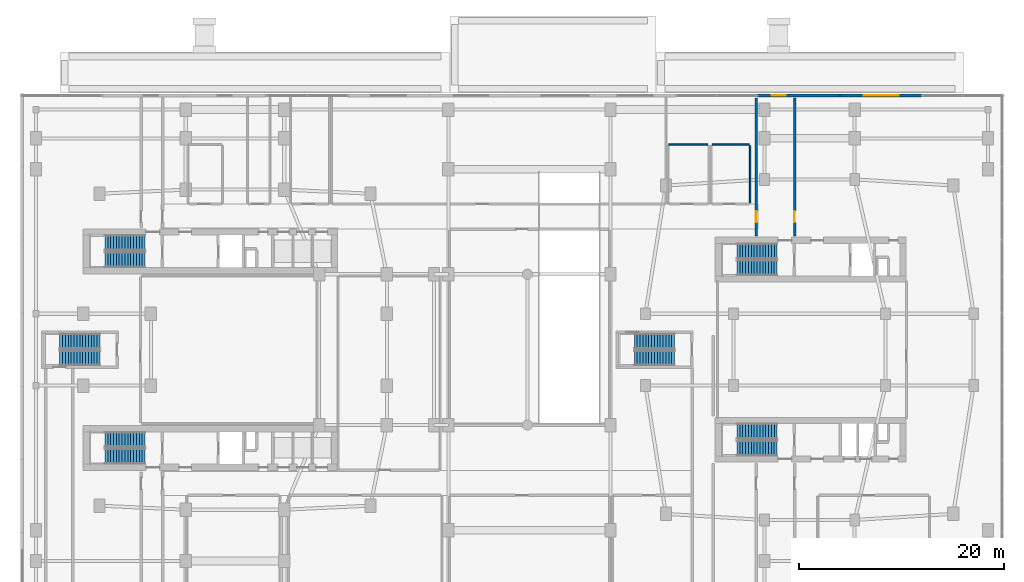
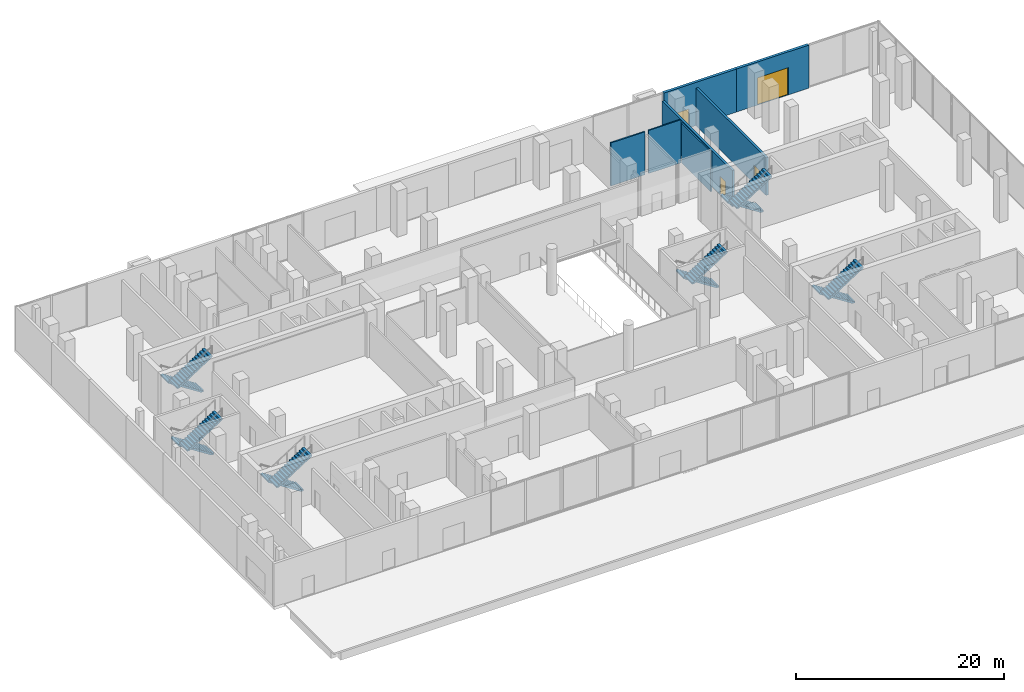
# One storey, part 17 of 24: 12 stair flights, 7 walls, 4 doors, 4 openings, 6 elements without a shape of their own.
"""IFC4 building model written with IfcOpenShell, lengths in metres."""

import ifcopenshell
import ifcopenshell.guid

model = None  # the IFC model being written
_history = None  # IfcOwnerHistory: only IFC2X3 demands one
_inside = {}  # id of a spatial element -> (the spatial element, [elements in it])
_under = {}  # id of a project, library or spatial element -> (it, [spatial elements below it])
_declared = {}  # id of a project -> (the project, [libraries it declares])
_typed = {}  # id of a type object -> (the type object, [elements of that type])
_made_of = {}  # id of a material, layer set ... -> (it, [elements and type objects made of it])


def new_model(schema):
    """Start an empty IFC model of exactly this schema.

    Asked for "IFC4X3", IfcOpenShell would pick the latest addendum, in which some entities
    have other attributes; the version numbers below select the first issue.
    IFC2X3 requires an IfcOwnerHistory on every rooted entity: one is made here for all.
    """
    global model, _history
    if schema == "IFC4X3":
        model = ifcopenshell.file(schema_version=(4, 3, 0, 0))
    else:
        model = ifcopenshell.file(schema=schema)
    _inside.clear()
    _under.clear()
    _declared.clear()
    _typed.clear()
    _made_of.clear()
    _history = None
    if model.schema == "IFC2X3":
        org = make("IfcOrganization", Name="unknown")
        user = make(
            "IfcPersonAndOrganization",
            ThePerson=make("IfcPerson", FamilyName="unknown"),
            TheOrganization=org,
        )
        app = make(
            "IfcApplication",
            ApplicationDeveloper=org,
            Version="unknown",
            ApplicationFullName="unknown",
            ApplicationIdentifier="unknown",
        )
        _history = make(
            "IfcOwnerHistory",
            OwningUser=user,
            OwningApplication=app,
            ChangeAction="ADDED",
            CreationDate=0,
        )
    return model


def make(cls, **values):
    """One entity of the class cls with the attributes given. An attribute that is None is left unset."""
    return model.create_entity(
        cls, **{name: value for name, value in values.items() if value is not None}
    )


def rooted(cls, **values):
    """An entity with a GlobalId (a new one), such as an element, a storey or a relation."""
    return make(cls, GlobalId=ifcopenshell.guid.new(), OwnerHistory=_history, **values)


def si_unit(unit_type, name, prefix=None):
    """IfcSIUnit, for example si_unit("LENGTHUNIT", "METRE", prefix="MILLI")."""
    return make("IfcSIUnit", UnitType=unit_type, Prefix=prefix, Name=name)


def derived_unit(unit_type, elements):
    """IfcDerivedUnit: a product of units, each with its exponent."""
    return make(
        "IfcDerivedUnit",
        Elements=[
            make("IfcDerivedUnitElement", Unit=unit, Exponent=power)
            for unit, power in elements
        ],
        UnitType=unit_type,
    )


def assignment(units):
    """IfcUnitAssignment: the units of a project."""
    return None if units is None else make("IfcUnitAssignment", Units=units)


def point(xyz):
    """IfcCartesianPoint."""
    return None if xyz is None else make("IfcCartesianPoint", Coordinates=xyz)


def direction(xyz):
    """IfcDirection."""
    return None if xyz is None else make("IfcDirection", DirectionRatios=xyz)


def frame(location, z_axis=None, x_axis=None):
    """IfcAxis2Placement3D, a coordinate frame: its origin and axes. An axis left out is left unset."""
    return make(
        "IfcAxis2Placement3D",
        Location=point(location),
        Axis=direction(z_axis),
        RefDirection=direction(x_axis),
    )


def frame_2d(location, x_axis=None):
    """IfcAxis2Placement2D, a coordinate frame in the plane: its origin and x axis."""
    return make(
        "IfcAxis2Placement2D", Location=point(location), RefDirection=direction(x_axis)
    )


def origin():
    """The frame at (0, 0, 0) with its axes left unset."""
    return frame((0.0, 0.0, 0.0))


def place(relative_to, where):
    """IfcLocalPlacement: puts the frame where relative to a parent placement (None: the world)."""
    return make(
        "IfcLocalPlacement", PlacementRelTo=relative_to, RelativePlacement=where
    )


def context(
    kind, dimensions, precision=None, world=None, true_north=None, identifier=None
):
    """IfcGeometricRepresentationContext, for example the 3D "Model" context."""
    return make(
        "IfcGeometricRepresentationContext",
        ContextIdentifier=identifier,
        ContextType=kind,
        CoordinateSpaceDimension=dimensions,
        Precision=precision,
        WorldCoordinateSystem=world,
        TrueNorth=true_north,
    )


def subcontext(parent, identifier, kind, view, scale=None):
    """IfcGeometricRepresentationSubContext, for example "Body" below "Model"."""
    return make(
        "IfcGeometricRepresentationSubContext",
        ContextIdentifier=identifier,
        ContextType=kind,
        ParentContext=parent,
        TargetScale=scale,
        TargetView=view,
    )


def project(units=None, contexts=None):
    """IfcProject with its units and contexts."""
    return rooted(
        "IfcProject",
        Name="project",
        RepresentationContexts=contexts,
        UnitsInContext=assignment(units),
    )


def spatial(cls, under=None, at=None, **own):
    """A site, building, storey or space (cls), placed at a placement, below another one or the project."""
    s = rooted(cls, ObjectPlacement=at, **own)
    if under is not None:
        _under.setdefault(under.id(), (under, []))[1].append(s)
    return s


def polyline(points):
    """IfcPolyline through the points."""
    return make("IfcPolyline", Points=[point(p) for p in points])


def profile(cls, at=None, kind="AREA", **sizes):
    """A parametric profile (cls). Its sizes go by their IFC names, for example OverallWidth=200.0."""
    return make(cls, ProfileType=kind, Position=at, **sizes)


def rectangle(**sizes):
    """IfcRectangleProfileDef."""
    return profile("IfcRectangleProfileDef", **sizes)


def outline(outer, holes=None, kind="AREA"):
    """IfcArbitraryClosedProfileDef: a profile drawn as a closed curve; with holes, ...WithVoids."""
    if holes is None:
        return make("IfcArbitraryClosedProfileDef", ProfileType=kind, OuterCurve=outer)
    return make(
        "IfcArbitraryProfileDefWithVoids",
        ProfileType=kind,
        OuterCurve=outer,
        InnerCurves=holes,
    )


def extrude(swept, where, along, depth):
    """IfcExtrudedAreaSolid: the profile swept, set in the frame where, extruded along a direction by depth."""
    return make(
        "IfcExtrudedAreaSolid",
        SweptArea=swept,
        Position=where,
        ExtrudedDirection=direction(along),
        Depth=depth,
    )


def shape(context_of_items, identifier, shape_type, items):
    """IfcShapeRepresentation: the items that make up one representation, for example the "Body"."""
    return make(
        "IfcShapeRepresentation",
        ContextOfItems=context_of_items,
        RepresentationIdentifier=identifier,
        RepresentationType=shape_type,
        Items=items,
    )


def material(Name=None, Category=None):
    """IfcMaterial."""
    return make("IfcMaterial", Name=Name, Category=Category)


def layer(
    of_material, thickness, ventilated=None, Name=None, Category=None, Priority=None
):
    """IfcMaterialLayer: one layer of a wall or slab, of a material (None: an air gap)."""
    return make(
        "IfcMaterialLayer",
        Material=of_material,
        LayerThickness=thickness,
        IsVentilated=ventilated,
        Name=Name,
        Category=Category,
        Priority=Priority,
    )


def layer_set(layers, Name=None):
    """IfcMaterialLayerSet."""
    return make("IfcMaterialLayerSet", MaterialLayers=layers, LayerSetName=Name)


def made_of(thing, what):
    """Note that an element or type object is made of a material, layer set ...; save() writes the relation."""
    if what is not None:
        _made_of.setdefault(what.id(), (what, []))[1].append(thing)
    return thing


def type_object(cls, material=None, **own):
    """A type object (cls), such as IfcWallType, which elements share."""
    return made_of(rooted(cls, **own), material)


def element(
    cls,
    number,
    at=None,
    inside=None,
    cuts=None,
    type_object=None,
    material=None,
    context=None,
    identifier="Body",
    shape_type=None,
    held_by="IfcProductDefinitionShape",
    body=None,
    shapes=None,
    **own,
):
    """One element of the class cls, such as IfcWall. Its Tag is "e" and its number.

    at: its placement. inside: the storey or other place that contains it. cuts: it is an
    opening in that element (IfcRelVoidsElement). A single representation is given by context,
    identifier, shape_type and body (its items); several are given by shapes. held_by: the class
    of the entity that holds the representations. save() writes the other relations.
    """
    e = rooted(cls, Tag="e%d" % number, ObjectPlacement=at, **own)
    if body is not None:
        shapes = [shape(context, identifier, shape_type, body)]
    if shapes is not None:
        e.Representation = make(held_by, Representations=shapes)
    if inside is not None:
        _inside.setdefault(inside.id(), (inside, []))[1].append(e)
    if cuts is not None:
        rooted(
            "IfcRelVoidsElement", RelatingBuildingElement=cuts, RelatedOpeningElement=e
        )
    if type_object is not None:
        _typed.setdefault(type_object.id(), (type_object, []))[1].append(e)
    return made_of(e, material)


def fill(opening, filler):
    """IfcRelFillsElement: the door or window that sits in an opening."""
    return rooted(
        "IfcRelFillsElement",
        RelatingOpeningElement=opening,
        RelatedBuildingElement=filler,
    )


def aggregate(whole, parts):
    """IfcRelAggregates: a whole, such as a stair, and the parts it consists of."""
    return rooted("IfcRelAggregates", RelatingObject=whole, RelatedObjects=parts)


def save(model, path):
    """Write the relations noted so far, then the file.

    IfcRelAggregates (storeys below a building ...), IfcRelContainedInSpatialStructure (elements
    in a storey), IfcRelDefinesByType, IfcRelAssociatesMaterial and IfcRelDeclares: one each for
    every whole, place, type object, material and project.
    """
    for whole, parts in _under.values():
        aggregate(whole, parts)
    for where, things in _inside.values():
        rooted(
            "IfcRelContainedInSpatialStructure",
            RelatedElements=things,
            RelatingStructure=where,
        )
    for kind, things in _typed.values():
        rooted("IfcRelDefinesByType", RelatedObjects=things, RelatingType=kind)
    for what, things in _made_of.values():
        rooted("IfcRelAssociatesMaterial", RelatedObjects=things, RelatingMaterial=what)
    for by, libraries in _declared.values():
        rooted("IfcRelDeclares", RelatingContext=by, RelatedDefinitions=libraries)
    model.write(path)


model = new_model("IFC4")

# Units and contexts
model_context = context("Model", 3, precision=1e-05, world=origin(), true_north=direction((0.0, 1.0)))
body_context = subcontext(model_context, "Body", "Model", "MODEL_VIEW")
ifc_project = project(units=[si_unit("LENGTHUNIT", "METRE"), si_unit("AREAUNIT", "SQUARE_METRE"), si_unit("VOLUMEUNIT", "CUBIC_METRE"), si_unit("PLANEANGLEUNIT", "RADIAN"), si_unit("MASSUNIT", "GRAM", prefix="KILO"), derived_unit("THERMALTRANSMITTANCEUNIT", [(si_unit("POWERUNIT", "WATT"), 1), (si_unit("LENGTHUNIT", "METRE"), -2), (si_unit("THERMODYNAMICTEMPERATUREUNIT", "KELVIN"), -1)])], contexts=[model_context])

# Site, building, storey
site_placement = place(None, origin())
site = spatial("IfcSite", under=ifc_project, at=site_placement, CompositionType="ELEMENT")
building_placement = place(site_placement, origin())
building = spatial("IfcBuilding", under=site, at=building_placement, Name="Kivonza Crest Hotel", CompositionType="ELEMENT")
storey_placement = place(building_placement, origin())
storey = spatial("IfcBuildingStorey", under=building, at=storey_placement, Name="L00", CompositionType="ELEMENT", Elevation=0.0)

# Wall, opening, door
ifc_material_1 = material(Name="Precast concrete C40/50", Category="concrete")
ifc_layer_1 = layer(ifc_material_1, 0.300048828125)
ifc_layer_set_1 = layer_set([ifc_layer_1], Name="Precast concrete C40/50")
wall_type_1 = type_object("IfcWallType", Name="WL-EXT-300", PredefinedType="STANDARD", material=ifc_layer_set_1)
wall_1_placement = place(storey_placement, frame((87.988037109375, 49.77001953125, 0.0), z_axis=(0.0, 0.0, 1.0), x_axis=(-1.0, 0.0, 0.0)))
wall_1 = element("IfcWall", 1, at=wall_1_placement, inside=storey, type_object=wall_type_1, Name="L00 POD exterior insulated wall 21", PredefinedType="STANDARD", context=body_context, shape_type="SweptSolid", body=[
    extrude(rectangle(XDim=8.049072265625, YDim=0.300048828125, at=frame_2d((4.0244140625, 0.0))), origin(), (0.0, 0.0, 1.0), 5.050048828125),
])
opening_1_placement = place(wall_1_placement, frame((2.2880859375, 0.0, 0.0)))
opening_1 = element("IfcOpeningElement", 2, at=opening_1_placement, cuts=wall_1, Name="Opening DG-LOAD-01", PredefinedType="OPENING", context=body_context, shape_type="SweptSolid", body=[
    extrude(rectangle(XDim=3.39990234375, YDim=3.199951171875, at=frame_2d((1.699951171875, 1.60009765625))), frame((0.0, 0.16015625, 0.0), z_axis=(0.0, -1.0, 0.0), x_axis=(1.0, 0.0, 0.0)), (0.0, 0.0, 1.0), 0.320068359375),
])
ifc_material_2 = material(Name="Galvanised powder-coated steel", Category="steel")
door_type_1 = type_object("IfcDoorType", Name="DR-GATE-3400", OperationType="NOTDEFINED", PredefinedType="GATE", material=ifc_material_2)
door_1_placement = place(opening_1_placement, frame((3.39990234375, 0.0, 0.0), z_axis=(0.0, 0.0, 1.0), x_axis=(-1.0, 0.0, 0.0)))
door_1 = element("IfcDoor", 3, at=door_1_placement, inside=storey, type_object=door_type_1, Name="Ground loading and service bay roller shutter gate 4", OperationType="ROLLINGUP", OverallHeight=3.199951171875, OverallWidth=3.39990234375, PredefinedType="GATE", context=body_context, shape_type="SweptSolid", body=[
    extrude(rectangle(XDim=3.39990234375, YDim=3.199951171875, at=frame_2d((1.699951171875, 1.60009765625))), frame((0.0, 0.02490234375, 0.0), z_axis=(0.0, -1.0, 0.0), x_axis=(1.0, 0.0, 0.0)), (0.0, 0.0, 1.0), 0.050048828125),
])
fill(opening_1, door_1)

wall_2_placement = place(storey_placement, frame((79.955078125, 49.77001953125, 0.0), z_axis=(0.0, 0.0, 1.0), x_axis=(-1.0, 0.0, 0.0)))
wall_2 = element("IfcWall", 4, at=wall_2_placement, inside=storey, type_object=wall_type_1, Name="L00 POD exterior insulated wall 22", PredefinedType="STANDARD", context=body_context, shape_type="SweptSolid", body=[
    extrude(rectangle(XDim=8.050048828125, YDim=0.300048828125, at=frame_2d((4.02490234375, 0.0))), origin(), (0.0, 0.0, 1.0), 5.050048828125),
])
opening_2_placement = place(wall_2_placement, frame((5.2548828125, 0.0, 0.0)))
opening_2 = element("IfcOpeningElement", 5, at=opening_2_placement, cuts=wall_2, Name="Opening DF-120E", PredefinedType="OPENING", context=body_context, shape_type="SweptSolid", body=[
    extrude(rectangle(XDim=1.39990234375, YDim=2.199951171875, at=frame_2d((0.699951171875, 1.10009765625))), frame((0.0, 0.16015625, 0.0), z_axis=(0.0, -1.0, 0.0), x_axis=(1.0, 0.0, 0.0)), (0.0, 0.0, 1.0), 0.320068359375),
])
ifc_material_3 = material(Name="Anodised bronze aluminium and laminated safety glass", Category="aluminium")
door_type_2 = type_object("IfcDoorType", Name="DR-EXT-EXIT-1400", OperationType="NOTDEFINED", PredefinedType="DOOR", material=ifc_material_3)
door_2_placement = place(opening_2_placement, frame((1.39990234375, 0.0, 0.0), z_axis=(0.0, 0.0, 1.0), x_axis=(-1.0, 0.0, 0.0)))
door_2 = element("IfcDoor", 6, at=door_2_placement, inside=storey, type_object=door_type_2, Name="L00 T2 North Protected Exit Passage final exit door", OperationType="DOUBLE_DOOR_SINGLE_SWING", OverallHeight=2.199951171875, OverallWidth=1.39990234375, PredefinedType="DOOR", context=body_context, shape_type="SweptSolid", body=[
    extrude(rectangle(XDim=1.39990234375, YDim=2.199951171875, at=frame_2d((0.699951171875, 1.10009765625))), frame((0.0, 0.02490234375, 0.0), z_axis=(0.0, -1.0, 0.0), x_axis=(1.0, 0.0, 0.0)), (0.0, 0.0, 1.0), 0.050048828125),
])
fill(opening_2, door_2)

ifc_material_4 = material(Name="Concrete blockwork fire-compartment wall", Category="masonry")
ifc_layer_2 = layer(ifc_material_4, 0.25)
ifc_layer_set_2 = layer_set([ifc_layer_2], Name="Concrete blockwork fire-compartment wall")
wall_type_2 = type_object("IfcWallType", Name="WL-FIRE-250", PredefinedType="SOLIDWALL", material=ifc_layer_set_2)
wall_3_placement = place(storey_placement, frame((71.800048828125, 36.10009765625, 0.0), z_axis=(0.0, 0.0, 1.0), x_axis=(0.0, 1.0, 0.0)))
wall_3 = element("IfcWall", 7, at=wall_3_placement, inside=storey, type_object=wall_type_2, Name="L00 interior partition WA-L00-EX-T2N-W", PredefinedType="SOLIDWALL", context=body_context, shape_type="SweptSolid", body=[
    extrude(rectangle(XDim=13.449951171875, YDim=0.25, at=frame_2d((6.72509765625, 0.0))), origin(), (0.0, 0.0, 1.0), 4.22509765625),
])
opening_3_placement = place(wall_3_placement, frame((1.300048828125, 0.0, 0.0)))
opening_3 = element("IfcOpeningElement", 8, at=opening_3_placement, cuts=wall_3, Name="Opening DF-120", PredefinedType="OPENING", context=body_context, shape_type="SweptSolid", body=[
    extrude(rectangle(XDim=1.10009765625, YDim=2.14990234375, at=frame_2d((0.550048828125, 1.074951171875))), frame((0.0, 0.135009765625, 0.0), z_axis=(0.0, -1.0, 0.0), x_axis=(1.0, 0.0, 0.0)), (0.0, 0.0, 1.0), 0.27001953125),
])
ifc_material_5 = material(Name="Galvanised steel", Category="steel")
door_type_3 = type_object("IfcDoorType", Name="DR-FD120-1100", OperationType="NOTDEFINED", PredefinedType="DOOR", material=ifc_material_5)
door_3_placement = place(opening_3_placement, frame((1.10009765625, 0.0, 0.0), z_axis=(0.0, 0.0, 1.0), x_axis=(-1.0, 0.0, 0.0)))
door_3 = element("IfcDoor", 9, at=door_3_placement, inside=storey, type_object=door_type_3, Name="L00 T2 North Protected Exit Passage west lobby door", OperationType="SINGLE_SWING_LEFT", OverallHeight=2.14990234375, OverallWidth=1.10009765625, PredefinedType="DOOR", context=body_context, shape_type="SweptSolid", body=[
    extrude(rectangle(XDim=1.10009765625, YDim=2.14990234375, at=frame_2d((0.550048828125, 1.074951171875))), frame((0.0, 0.02490234375, 0.0), z_axis=(0.0, -1.0, 0.0), x_axis=(1.0, 0.0, 0.0)), (0.0, 0.0, 1.0), 0.050048828125),
])
fill(opening_3, door_3)

wall_4_placement = place(storey_placement, frame((75.550048828125, 36.10009765625, 0.0), z_axis=(0.0, 0.0, 1.0), x_axis=(0.0, 1.0, 0.0)))
wall_4 = element("IfcWall", 10, at=wall_4_placement, inside=storey, type_object=wall_type_2, Name="L00 interior partition WA-L00-EX-T2N-E", PredefinedType="SOLIDWALL", context=body_context, shape_type="SweptSolid", body=[
    extrude(rectangle(XDim=13.449951171875, YDim=0.25, at=frame_2d((6.72509765625, 0.0))), origin(), (0.0, 0.0, 1.0), 4.425048828125),
])
opening_4_placement = place(wall_4_placement, frame((1.300048828125, 0.0, 0.0)))
opening_4 = element("IfcOpeningElement", 11, at=opening_4_placement, cuts=wall_4, Name="Opening DF-120", PredefinedType="OPENING", context=body_context, shape_type="SweptSolid", body=[
    extrude(rectangle(XDim=1.10009765625, YDim=2.14990234375, at=frame_2d((0.550048828125, 1.074951171875))), frame((0.0, 0.135009765625, 0.0), z_axis=(0.0, -1.0, 0.0), x_axis=(1.0, 0.0, 0.0)), (0.0, 0.0, 1.0), 0.27001953125),
])
door_4_placement = place(opening_4_placement, origin())
door_4 = element("IfcDoor", 12, at=door_4_placement, inside=storey, type_object=door_type_3, Name="L00 T2 North Protected Exit Passage east lobby door", OperationType="SINGLE_SWING_RIGHT", OverallHeight=2.14990234375, OverallWidth=1.10009765625, PredefinedType="DOOR", context=body_context, shape_type="SweptSolid", body=[
    extrude(rectangle(XDim=1.10009765625, YDim=2.14990234375, at=frame_2d((0.550048828125, 1.074951171875))), frame((0.0, 0.02490234375, 0.0), z_axis=(0.0, -1.0, 0.0), x_axis=(1.0, 0.0, 0.0)), (0.0, 0.0, 1.0), 0.050048828125),
])
fill(opening_4, door_4)

# Walls
ifc_material_6 = material(Name="Twin-stud acoustic gypsum board partition", Category="gypsum")
ifc_layer_3 = layer(ifc_material_6, 0.14990234375)
ifc_layer_set_3 = layer_set([ifc_layer_3], Name="Twin-stud acoustic gypsum board partition")
wall_type_3 = type_object("IfcWallType", Name="WL-PART-150", PredefinedType="PARTITIONING", material=ifc_layer_set_3)
wall_5_placement = place(storey_placement, frame((63.300048828125, 45.0, 0.0), z_axis=(0.0, 0.0, 1.0), x_axis=(1.0, 0.0, 0.0)))
element("IfcWall", 13, at=wall_5_placement, inside=storey, type_object=wall_type_3, Name="L00 interior partition WP-L00-MWC-BN", PredefinedType="PARTITIONING", context=body_context, shape_type="SweptSolid", body=[
    extrude(rectangle(XDim=3.800048828125, YDim=0.14990234375, at=frame_2d((1.89990234375, 0.0))), origin(), (0.0, 0.0, 1.0), 5.050048828125),
])
wall_6_placement = place(storey_placement, frame((71.199951171875, 39.300048828125, 0.0), z_axis=(0.0, 0.0, 1.0), x_axis=(0.0, 1.0, 0.0)))
element("IfcWall", 14, at=wall_6_placement, inside=storey, type_object=wall_type_3, Name="L00 interior partition WP-L00-FWC-BE", PredefinedType="PARTITIONING", context=body_context, shape_type="SweptSolid", body=[
    extrude(rectangle(XDim=5.599853515625, YDim=0.14990234375, at=frame_2d((2.7998046875, 0.0))), origin(), (0.0, 0.0, 1.0), 4.6650390625),
])
wall_7_placement = place(storey_placement, frame((67.5, 45.0, 0.0), z_axis=(0.0, 0.0, 1.0), x_axis=(1.0, 0.0, 0.0)))
element("IfcWall", 15, at=wall_7_placement, inside=storey, type_object=wall_type_3, Name="L00 interior partition WP-L00-FWC-BN", PredefinedType="PARTITIONING", context=body_context, shape_type="SweptSolid", body=[
    extrude(rectangle(XDim=3.60009765625, YDim=0.14990234375, at=frame_2d((1.800048828125, 0.0))), origin(), (0.0, 0.0, 1.0), 5.050048828125),
])

# Stair, stair flights
ifc_material_7 = material(Name="Concrete C40/50", Category="concrete")
stair_type = type_object("IfcStairType", Name="ST-DL-30R", PredefinedType="HALF_TURN_STAIR", material=ifc_material_7)
stair_1_placement = place(storey_placement, origin())
stair_1 = element("IfcStair", 16, at=stair_1_placement, inside=storey, type_object=stair_type, Name="L00 Protected Exit Stair ST-T1-N", PredefinedType="HALF_TURN_STAIR")
stair_flight_type = type_object("IfcStairFlightType", Name="SFL-RC-15R", PredefinedType="STRAIGHT", material=ifc_material_7)
stair_flight_1_placement = place(storey_placement, frame((12.239990234375, 35.409912109375, 0.0), z_axis=(0.0, 0.0, 1.0), x_axis=(-1.0, 0.0, 0.0)))
stair_flight_1 = element("IfcStairFlight", 17, at=stair_flight_1_placement, type_object=stair_flight_type, Name="ST-T1-N flight 1", NumberOfRisers=15, NumberOfTreads=14, PredefinedType="STRAIGHT", RiserHeight=0.18, TreadLength=0.28, context=body_context, shape_type="SweptSolid", body=[
    extrude(outline(polyline([(0.0, 0.0), (0.0, 0.179931640625), (0.280029296875, 0.179931640625), (0.280029296875, 0.360107421875), (0.56005859375, 0.360107421875), (0.56005859375, 0.5400390625), (0.840087890625, 0.5400390625), (0.840087890625, 0.719970703125), (1.1201171875, 0.719970703125), (1.1201171875, 0.89990234375), (1.39990234375, 0.89990234375), (1.39990234375, 1.080078125), (1.679931640625, 1.080078125), (1.679931640625, 1.260009765625), (1.9599609375, 1.260009765625), (1.9599609375, 1.43994140625), (2.239990234375, 1.43994140625), (2.239990234375, 1.6201171875), (2.52001953125, 1.6201171875), (2.52001953125, 1.800048828125), (2.800048828125, 1.800048828125), (2.800048828125, 1.97998046875), (3.080078125, 1.97998046875), (3.080078125, 2.159912109375), (3.360107421875, 2.159912109375), (3.360107421875, 2.340087890625), (3.639892578125, 2.340087890625), (3.639892578125, 2.52001953125), (3.919921875, 2.52001953125), (3.919921875, 2.699951171875), (3.919921875, 2.341796875), (0.277099609375, 0.0), (0.0, 0.0)])), frame((0.0, 0.75, 0.0), z_axis=(0.0, -1.0, 0.0), x_axis=(1.0, 0.0, 0.0)), (0.0, 0.0, 1.0), 1.5),
])
stair_flight_2_placement = place(storey_placement, frame((8.320068359375, 33.77001953125, 2.699951171875), z_axis=(0.0, 0.0, 1.0), x_axis=(1.0, 0.0, 0.0)))
stair_flight_2 = element("IfcStairFlight", 18, at=stair_flight_2_placement, type_object=stair_flight_type, Name="ST-T1-N flight 2", NumberOfRisers=15, NumberOfTreads=14, PredefinedType="STRAIGHT", RiserHeight=0.18, TreadLength=0.28, context=body_context, shape_type="SweptSolid", body=[
    extrude(outline(polyline([(0.0, 0.0), (0.0, 0.179931640625), (0.280029296875, 0.179931640625), (0.280029296875, 0.360107421875), (0.56005859375, 0.360107421875), (0.56005859375, 0.5400390625), (0.840087890625, 0.5400390625), (0.840087890625, 0.719970703125), (1.1201171875, 0.719970703125), (1.1201171875, 0.89990234375), (1.39990234375, 0.89990234375), (1.39990234375, 1.080078125), (1.679931640625, 1.080078125), (1.679931640625, 1.260009765625), (1.9599609375, 1.260009765625), (1.9599609375, 1.43994140625), (2.239990234375, 1.43994140625), (2.239990234375, 1.6201171875), (2.52001953125, 1.6201171875), (2.52001953125, 1.800048828125), (2.800048828125, 1.800048828125), (2.800048828125, 1.97998046875), (3.080078125, 1.97998046875), (3.080078125, 2.159912109375), (3.360107421875, 2.159912109375), (3.360107421875, 2.340087890625), (3.639892578125, 2.340087890625), (3.639892578125, 2.52001953125), (3.919921875, 2.52001953125), (3.919921875, 2.699951171875), (3.919921875, 2.341796875), (0.277099609375, 0.0), (0.0, 0.0)])), frame((0.0, 0.75, 0.0), z_axis=(0.0, -1.0, 0.0), x_axis=(1.0, 0.0, 0.0)), (0.0, 0.0, 1.0), 1.5),
])
aggregate(stair_1, [stair_flight_1, stair_flight_2])

stair_2_placement = place(storey_placement, origin())
stair_2 = element("IfcStair", 19, at=stair_2_placement, inside=storey, type_object=stair_type, Name="L00 Protected Exit Stair ST-T1-S", PredefinedType="HALF_TURN_STAIR")
stair_flight_3_placement = place(storey_placement, frame((12.239990234375, 16.25, 0.0), z_axis=(0.0, 0.0, 1.0), x_axis=(-1.0, 0.0, 0.0)))
stair_flight_3 = element("IfcStairFlight", 20, at=stair_flight_3_placement, type_object=stair_flight_type, Name="ST-T1-S flight 1", NumberOfRisers=15, NumberOfTreads=14, PredefinedType="STRAIGHT", RiserHeight=0.18, TreadLength=0.28, context=body_context, shape_type="SweptSolid", body=[
    extrude(outline(polyline([(0.0, 0.0), (0.0, 0.179931640625), (0.280029296875, 0.179931640625), (0.280029296875, 0.360107421875), (0.56005859375, 0.360107421875), (0.56005859375, 0.5400390625), (0.840087890625, 0.5400390625), (0.840087890625, 0.719970703125), (1.1201171875, 0.719970703125), (1.1201171875, 0.89990234375), (1.39990234375, 0.89990234375), (1.39990234375, 1.080078125), (1.679931640625, 1.080078125), (1.679931640625, 1.260009765625), (1.9599609375, 1.260009765625), (1.9599609375, 1.43994140625), (2.239990234375, 1.43994140625), (2.239990234375, 1.6201171875), (2.52001953125, 1.6201171875), (2.52001953125, 1.800048828125), (2.800048828125, 1.800048828125), (2.800048828125, 1.97998046875), (3.080078125, 1.97998046875), (3.080078125, 2.159912109375), (3.360107421875, 2.159912109375), (3.360107421875, 2.340087890625), (3.639892578125, 2.340087890625), (3.639892578125, 2.52001953125), (3.919921875, 2.52001953125), (3.919921875, 2.699951171875), (3.919921875, 2.341796875), (0.277099609375, 0.0), (0.0, 0.0)])), frame((0.0, 0.75, 0.0), z_axis=(0.0, -1.0, 0.0), x_axis=(1.0, 0.0, 0.0)), (0.0, 0.0, 1.0), 1.5),
])
stair_flight_4_placement = place(storey_placement, frame((8.320068359375, 14.610107421875, 2.699951171875), z_axis=(0.0, 0.0, 1.0), x_axis=(1.0, 0.0, 0.0)))
stair_flight_4 = element("IfcStairFlight", 21, at=stair_flight_4_placement, type_object=stair_flight_type, Name="ST-T1-S flight 2", NumberOfRisers=15, NumberOfTreads=14, PredefinedType="STRAIGHT", RiserHeight=0.18, TreadLength=0.28, context=body_context, shape_type="SweptSolid", body=[
    extrude(outline(polyline([(0.0, 0.0), (0.0, 0.179931640625), (0.280029296875, 0.179931640625), (0.280029296875, 0.360107421875), (0.56005859375, 0.360107421875), (0.56005859375, 0.5400390625), (0.840087890625, 0.5400390625), (0.840087890625, 0.719970703125), (1.1201171875, 0.719970703125), (1.1201171875, 0.89990234375), (1.39990234375, 0.89990234375), (1.39990234375, 1.080078125), (1.679931640625, 1.080078125), (1.679931640625, 1.260009765625), (1.9599609375, 1.260009765625), (1.9599609375, 1.43994140625), (2.239990234375, 1.43994140625), (2.239990234375, 1.6201171875), (2.52001953125, 1.6201171875), (2.52001953125, 1.800048828125), (2.800048828125, 1.800048828125), (2.800048828125, 1.97998046875), (3.080078125, 1.97998046875), (3.080078125, 2.159912109375), (3.360107421875, 2.159912109375), (3.360107421875, 2.340087890625), (3.639892578125, 2.340087890625), (3.639892578125, 2.52001953125), (3.919921875, 2.52001953125), (3.919921875, 2.699951171875), (3.919921875, 2.341796875), (0.277099609375, 0.0), (0.0, 0.0)])), frame((0.0, 0.75, 0.0), z_axis=(0.0, -1.0, 0.0), x_axis=(1.0, 0.0, 0.0)), (0.0, 0.0, 1.0), 1.5),
])
aggregate(stair_2, [stair_flight_3, stair_flight_4])

stair_3_placement = place(storey_placement, origin())
stair_3 = element("IfcStair", 22, at=stair_3_placement, inside=storey, type_object=stair_type, Name="L00 Protected Exit Stair ST-T2-N", PredefinedType="HALF_TURN_STAIR")
stair_flight_5_placement = place(storey_placement, frame((73.840087890625, 34.610107421875, 0.0), z_axis=(0.0, 0.0, 1.0), x_axis=(-1.0, 0.0, 0.0)))
stair_flight_5 = element("IfcStairFlight", 23, at=stair_flight_5_placement, type_object=stair_flight_type, Name="ST-T2-N flight 1", NumberOfRisers=15, NumberOfTreads=14, PredefinedType="STRAIGHT", RiserHeight=0.18, TreadLength=0.28, context=body_context, shape_type="SweptSolid", body=[
    extrude(outline(polyline([(0.0, 0.0), (0.0, 0.179931640625), (0.280029296875, 0.179931640625), (0.280029296875, 0.360107421875), (0.56005859375, 0.360107421875), (0.56005859375, 0.5400390625), (0.840087890625, 0.5400390625), (0.840087890625, 0.719970703125), (1.1201171875, 0.719970703125), (1.1201171875, 0.89990234375), (1.39990234375, 0.89990234375), (1.39990234375, 1.080078125), (1.679931640625, 1.080078125), (1.679931640625, 1.260009765625), (1.9599609375, 1.260009765625), (1.9599609375, 1.43994140625), (2.239990234375, 1.43994140625), (2.239990234375, 1.6201171875), (2.52001953125, 1.6201171875), (2.52001953125, 1.800048828125), (2.800048828125, 1.800048828125), (2.800048828125, 1.97998046875), (3.080078125, 1.97998046875), (3.080078125, 2.159912109375), (3.360107421875, 2.159912109375), (3.360107421875, 2.340087890625), (3.639892578125, 2.340087890625), (3.639892578125, 2.52001953125), (3.919921875, 2.52001953125), (3.919921875, 2.699951171875), (3.919921875, 2.341796875), (0.277099609375, 0.0), (0.0, 0.0)])), frame((0.0, 0.75, 0.0), z_axis=(0.0, -1.0, 0.0), x_axis=(1.0, 0.0, 0.0)), (0.0, 0.0, 1.0), 1.5),
])
stair_flight_6_placement = place(storey_placement, frame((69.919921875, 32.969970703125, 2.699951171875), z_axis=(0.0, 0.0, 1.0), x_axis=(1.0, 0.0, 0.0)))
stair_flight_6 = element("IfcStairFlight", 24, at=stair_flight_6_placement, type_object=stair_flight_type, Name="ST-T2-N flight 2", NumberOfRisers=15, NumberOfTreads=14, PredefinedType="STRAIGHT", RiserHeight=0.18, TreadLength=0.28, context=body_context, shape_type="SweptSolid", body=[
    extrude(outline(polyline([(0.0, 0.0), (0.0, 0.179931640625), (0.280029296875, 0.179931640625), (0.280029296875, 0.360107421875), (0.56005859375, 0.360107421875), (0.56005859375, 0.5400390625), (0.840087890625, 0.5400390625), (0.840087890625, 0.719970703125), (1.1201171875, 0.719970703125), (1.1201171875, 0.89990234375), (1.39990234375, 0.89990234375), (1.39990234375, 1.080078125), (1.679931640625, 1.080078125), (1.679931640625, 1.260009765625), (1.9599609375, 1.260009765625), (1.9599609375, 1.43994140625), (2.239990234375, 1.43994140625), (2.239990234375, 1.6201171875), (2.52001953125, 1.6201171875), (2.52001953125, 1.800048828125), (2.800048828125, 1.800048828125), (2.800048828125, 1.97998046875), (3.080078125, 1.97998046875), (3.080078125, 2.159912109375), (3.360107421875, 2.159912109375), (3.360107421875, 2.340087890625), (3.639892578125, 2.340087890625), (3.639892578125, 2.52001953125), (3.919921875, 2.52001953125), (3.919921875, 2.699951171875), (3.919921875, 2.341796875), (0.277099609375, 0.0), (0.0, 0.0)])), frame((0.0, 0.75, 0.0), z_axis=(0.0, -1.0, 0.0), x_axis=(1.0, 0.0, 0.0)), (0.0, 0.0, 1.0), 1.5),
])
aggregate(stair_3, [stair_flight_5, stair_flight_6])

stair_4_placement = place(storey_placement, origin())
stair_4 = element("IfcStair", 25, at=stair_4_placement, inside=storey, type_object=stair_type, Name="L00 Protected Exit Stair ST-T2-S", PredefinedType="HALF_TURN_STAIR")
stair_flight_7_placement = place(storey_placement, frame((73.840087890625, 17.050048828125, 0.0), z_axis=(0.0, 0.0, 1.0), x_axis=(-1.0, 0.0, 0.0)))
stair_flight_7 = element("IfcStairFlight", 26, at=stair_flight_7_placement, type_object=stair_flight_type, Name="ST-T2-S flight 1", NumberOfRisers=15, NumberOfTreads=14, PredefinedType="STRAIGHT", RiserHeight=0.18, TreadLength=0.28, context=body_context, shape_type="SweptSolid", body=[
    extrude(outline(polyline([(0.0, 0.0), (0.0, 0.179931640625), (0.280029296875, 0.179931640625), (0.280029296875, 0.360107421875), (0.56005859375, 0.360107421875), (0.56005859375, 0.5400390625), (0.840087890625, 0.5400390625), (0.840087890625, 0.719970703125), (1.1201171875, 0.719970703125), (1.1201171875, 0.89990234375), (1.39990234375, 0.89990234375), (1.39990234375, 1.080078125), (1.679931640625, 1.080078125), (1.679931640625, 1.260009765625), (1.9599609375, 1.260009765625), (1.9599609375, 1.43994140625), (2.239990234375, 1.43994140625), (2.239990234375, 1.6201171875), (2.52001953125, 1.6201171875), (2.52001953125, 1.800048828125), (2.800048828125, 1.800048828125), (2.800048828125, 1.97998046875), (3.080078125, 1.97998046875), (3.080078125, 2.159912109375), (3.360107421875, 2.159912109375), (3.360107421875, 2.340087890625), (3.639892578125, 2.340087890625), (3.639892578125, 2.52001953125), (3.919921875, 2.52001953125), (3.919921875, 2.699951171875), (3.919921875, 2.341796875), (0.277099609375, 0.0), (0.0, 0.0)])), frame((0.0, 0.75, 0.0), z_axis=(0.0, -1.0, 0.0), x_axis=(1.0, 0.0, 0.0)), (0.0, 0.0, 1.0), 1.5),
])
stair_flight_8_placement = place(storey_placement, frame((69.919921875, 15.409912109375, 2.699951171875), z_axis=(0.0, 0.0, 1.0), x_axis=(1.0, 0.0, 0.0)))
stair_flight_8 = element("IfcStairFlight", 27, at=stair_flight_8_placement, type_object=stair_flight_type, Name="ST-T2-S flight 2", NumberOfRisers=15, NumberOfTreads=14, PredefinedType="STRAIGHT", RiserHeight=0.18, TreadLength=0.28, context=body_context, shape_type="SweptSolid", body=[
    extrude(outline(polyline([(0.0, 0.0), (0.0, 0.179931640625), (0.280029296875, 0.179931640625), (0.280029296875, 0.360107421875), (0.56005859375, 0.360107421875), (0.56005859375, 0.5400390625), (0.840087890625, 0.5400390625), (0.840087890625, 0.719970703125), (1.1201171875, 0.719970703125), (1.1201171875, 0.89990234375), (1.39990234375, 0.89990234375), (1.39990234375, 1.080078125), (1.679931640625, 1.080078125), (1.679931640625, 1.260009765625), (1.9599609375, 1.260009765625), (1.9599609375, 1.43994140625), (2.239990234375, 1.43994140625), (2.239990234375, 1.6201171875), (2.52001953125, 1.6201171875), (2.52001953125, 1.800048828125), (2.800048828125, 1.800048828125), (2.800048828125, 1.97998046875), (3.080078125, 1.97998046875), (3.080078125, 2.159912109375), (3.360107421875, 2.159912109375), (3.360107421875, 2.340087890625), (3.639892578125, 2.340087890625), (3.639892578125, 2.52001953125), (3.919921875, 2.52001953125), (3.919921875, 2.699951171875), (3.919921875, 2.341796875), (0.277099609375, 0.0), (0.0, 0.0)])), frame((0.0, 0.75, 0.0), z_axis=(0.0, -1.0, 0.0), x_axis=(1.0, 0.0, 0.0)), (0.0, 0.0, 1.0), 1.5),
])
aggregate(stair_4, [stair_flight_7, stair_flight_8])

stair_5_placement = place(storey_placement, origin())
stair_5 = element("IfcStair", 28, at=stair_5_placement, inside=storey, type_object=stair_type, Name="L00 Podium Escape Stair ST-POD-W", PredefinedType="HALF_TURN_STAIR")
stair_flight_9_placement = place(storey_placement, frame((7.840087890625, 25.830078125, 0.0), z_axis=(0.0, 0.0, 1.0), x_axis=(-1.0, 0.0, 0.0)))
stair_flight_9 = element("IfcStairFlight", 29, at=stair_flight_9_placement, type_object=stair_flight_type, Name="ST-POD-W flight 1", NumberOfRisers=15, NumberOfTreads=14, PredefinedType="STRAIGHT", RiserHeight=0.18, TreadLength=0.28, context=body_context, shape_type="SweptSolid", body=[
    extrude(outline(polyline([(0.0, 0.0), (0.0, 0.179931640625), (0.280029296875, 0.179931640625), (0.280029296875, 0.360107421875), (0.56005859375, 0.360107421875), (0.56005859375, 0.5400390625), (0.840087890625, 0.5400390625), (0.840087890625, 0.719970703125), (1.1201171875, 0.719970703125), (1.1201171875, 0.89990234375), (1.39990234375, 0.89990234375), (1.39990234375, 1.080078125), (1.679931640625, 1.080078125), (1.679931640625, 1.260009765625), (1.9599609375, 1.260009765625), (1.9599609375, 1.43994140625), (2.239990234375, 1.43994140625), (2.239990234375, 1.6201171875), (2.52001953125, 1.6201171875), (2.52001953125, 1.800048828125), (2.800048828125, 1.800048828125), (2.800048828125, 1.97998046875), (3.080078125, 1.97998046875), (3.080078125, 2.159912109375), (3.360107421875, 2.159912109375), (3.360107421875, 2.340087890625), (3.639892578125, 2.340087890625), (3.639892578125, 2.52001953125), (3.919921875, 2.52001953125), (3.919921875, 2.699951171875), (3.919921875, 2.341796875), (0.277099609375, 0.0), (0.0, 0.0)])), frame((0.0, 0.75, 0.0), z_axis=(0.0, -1.0, 0.0), x_axis=(1.0, 0.0, 0.0)), (0.0, 0.0, 1.0), 1.5),
])
stair_flight_10_placement = place(storey_placement, frame((3.919921875, 24.18994140625, 2.699951171875), z_axis=(0.0, 0.0, 1.0), x_axis=(1.0, 0.0, 0.0)))
stair_flight_10 = element("IfcStairFlight", 30, at=stair_flight_10_placement, type_object=stair_flight_type, Name="ST-POD-W flight 2", NumberOfRisers=15, NumberOfTreads=14, PredefinedType="STRAIGHT", RiserHeight=0.18, TreadLength=0.28, context=body_context, shape_type="SweptSolid", body=[
    extrude(outline(polyline([(0.0, 0.0), (0.0, 0.179931640625), (0.280029296875, 0.179931640625), (0.280029296875, 0.360107421875), (0.56005859375, 0.360107421875), (0.56005859375, 0.5400390625), (0.840087890625, 0.5400390625), (0.840087890625, 0.719970703125), (1.1201171875, 0.719970703125), (1.1201171875, 0.89990234375), (1.39990234375, 0.89990234375), (1.39990234375, 1.080078125), (1.679931640625, 1.080078125), (1.679931640625, 1.260009765625), (1.9599609375, 1.260009765625), (1.9599609375, 1.43994140625), (2.239990234375, 1.43994140625), (2.239990234375, 1.6201171875), (2.52001953125, 1.6201171875), (2.52001953125, 1.800048828125), (2.800048828125, 1.800048828125), (2.800048828125, 1.97998046875), (3.080078125, 1.97998046875), (3.080078125, 2.159912109375), (3.360107421875, 2.159912109375), (3.360107421875, 2.340087890625), (3.639892578125, 2.340087890625), (3.639892578125, 2.52001953125), (3.919921875, 2.52001953125), (3.919921875, 2.699951171875), (3.919921875, 2.341796875), (0.277099609375, 0.0), (0.0, 0.0)])), frame((0.0, 0.75, 0.0), z_axis=(0.0, -1.0, 0.0), x_axis=(1.0, 0.0, 0.0)), (0.0, 0.0, 1.0), 1.5),
])
aggregate(stair_5, [stair_flight_9, stair_flight_10])

stair_6_placement = place(storey_placement, origin())
stair_6 = element("IfcStair", 31, at=stair_6_placement, inside=storey, type_object=stair_type, Name="L00 Podium Escape Stair ST-POD-E", PredefinedType="HALF_TURN_STAIR")
stair_flight_11_placement = place(storey_placement, frame((63.840087890625, 25.830078125, 0.0), z_axis=(0.0, 0.0, 1.0), x_axis=(-1.0, 0.0, 0.0)))
stair_flight_11 = element("IfcStairFlight", 32, at=stair_flight_11_placement, type_object=stair_flight_type, Name="ST-POD-E flight 1", NumberOfRisers=15, NumberOfTreads=14, PredefinedType="STRAIGHT", RiserHeight=0.18, TreadLength=0.28, context=body_context, shape_type="SweptSolid", body=[
    extrude(outline(polyline([(0.0, 0.0), (0.0, 0.179931640625), (0.280029296875, 0.179931640625), (0.280029296875, 0.360107421875), (0.56005859375, 0.360107421875), (0.56005859375, 0.5400390625), (0.840087890625, 0.5400390625), (0.840087890625, 0.719970703125), (1.1201171875, 0.719970703125), (1.1201171875, 0.89990234375), (1.39990234375, 0.89990234375), (1.39990234375, 1.080078125), (1.679931640625, 1.080078125), (1.679931640625, 1.260009765625), (1.9599609375, 1.260009765625), (1.9599609375, 1.43994140625), (2.239990234375, 1.43994140625), (2.239990234375, 1.6201171875), (2.52001953125, 1.6201171875), (2.52001953125, 1.800048828125), (2.800048828125, 1.800048828125), (2.800048828125, 1.97998046875), (3.080078125, 1.97998046875), (3.080078125, 2.159912109375), (3.360107421875, 2.159912109375), (3.360107421875, 2.340087890625), (3.639892578125, 2.340087890625), (3.639892578125, 2.52001953125), (3.919921875, 2.52001953125), (3.919921875, 2.699951171875), (3.919921875, 2.341796875), (0.277099609375, 0.0), (0.0, 0.0)])), frame((0.0, 0.75, 0.0), z_axis=(0.0, -1.0, 0.0), x_axis=(1.0, 0.0, 0.0)), (0.0, 0.0, 1.0), 1.5),
])
stair_flight_12_placement = place(storey_placement, frame((59.919921875, 24.18994140625, 2.699951171875), z_axis=(0.0, 0.0, 1.0), x_axis=(1.0, 0.0, 0.0)))
stair_flight_12 = element("IfcStairFlight", 33, at=stair_flight_12_placement, type_object=stair_flight_type, Name="ST-POD-E flight 2", NumberOfRisers=15, NumberOfTreads=14, PredefinedType="STRAIGHT", RiserHeight=0.18, TreadLength=0.28, context=body_context, shape_type="SweptSolid", body=[
    extrude(outline(polyline([(0.0, 0.0), (0.0, 0.179931640625), (0.280029296875, 0.179931640625), (0.280029296875, 0.360107421875), (0.56005859375, 0.360107421875), (0.56005859375, 0.5400390625), (0.840087890625, 0.5400390625), (0.840087890625, 0.719970703125), (1.1201171875, 0.719970703125), (1.1201171875, 0.89990234375), (1.39990234375, 0.89990234375), (1.39990234375, 1.080078125), (1.679931640625, 1.080078125), (1.679931640625, 1.260009765625), (1.9599609375, 1.260009765625), (1.9599609375, 1.43994140625), (2.239990234375, 1.43994140625), (2.239990234375, 1.6201171875), (2.52001953125, 1.6201171875), (2.52001953125, 1.800048828125), (2.800048828125, 1.800048828125), (2.800048828125, 1.97998046875), (3.080078125, 1.97998046875), (3.080078125, 2.159912109375), (3.360107421875, 2.159912109375), (3.360107421875, 2.340087890625), (3.639892578125, 2.340087890625), (3.639892578125, 2.52001953125), (3.919921875, 2.52001953125), (3.919921875, 2.699951171875), (3.919921875, 2.341796875), (0.277099609375, 0.0), (0.0, 0.0)])), frame((0.0, 0.75, 0.0), z_axis=(0.0, -1.0, 0.0), x_axis=(1.0, 0.0, 0.0)), (0.0, 0.0, 1.0), 1.5),
])
aggregate(stair_6, [stair_flight_11, stair_flight_12])

save(model, "model.ifc")
